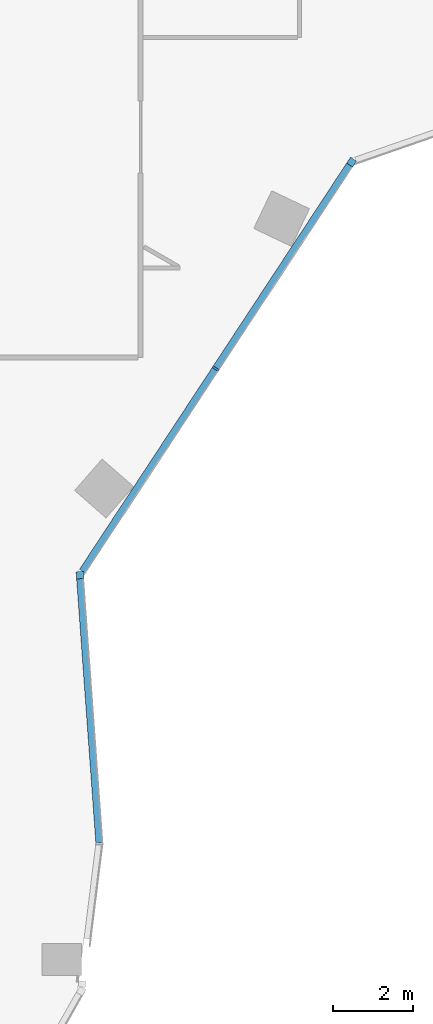
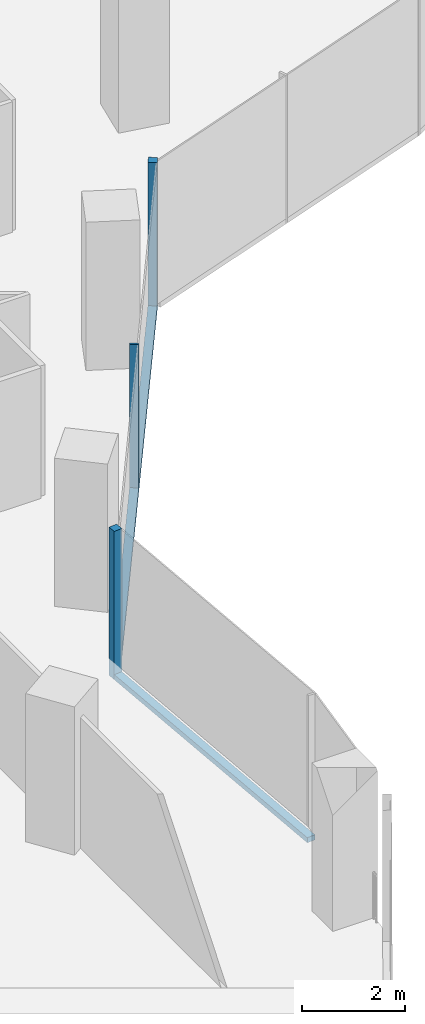
# One storey, part 5 of 24: 5 members, 2 elements without a shape of their own.
"""IFC4 building model written with IfcOpenShell, lengths in metres."""

from ifc_helpers import new_model, si_unit, direction, frame, origin, origin_2d, place, context, subcontext, project, spatial, rectangle, extrude, material, material_profile, profile_set, type_object, element, aggregate, save


model = new_model("IFC4")

# Units and contexts
model_context = context("Model", 3, precision=1e-05, world=origin(), true_north=direction((0.0, 1.0)))
body_context = subcontext(model_context, "Body", "Model", "MODEL_VIEW")
ifc_project = project(units=[si_unit("LENGTHUNIT", "METRE"), si_unit("AREAUNIT", "SQUARE_METRE"), si_unit("VOLUMEUNIT", "CUBIC_METRE"), si_unit("PLANEANGLEUNIT", "RADIAN"), si_unit("MASSUNIT", "GRAM", prefix="KILO")], contexts=[model_context])

# Site, building, storey
site_placement = place(None, origin())
site = spatial("IfcSite", under=ifc_project, at=site_placement, CompositionType="ELEMENT")
building_placement = place(site_placement, origin())
building = spatial("IfcBuilding", under=site, at=building_placement, Name="Orlundy Tower", CompositionType="ELEMENT")
storey_placement = place(building_placement, frame((0.0, 0.0, 239.0)))
storey = spatial("IfcBuildingStorey", under=building, at=storey_placement, Name="L63", CompositionType="ELEMENT", Elevation=239.0)

# Curtain wall, member
ifc_material_1 = material(Name="Aluminium bronze anodised", Category="aluminium")
curtain_wall_type = type_object("IfcCurtainWallType", Name="CW1 wall", PredefinedType="NOTDEFINED", material=ifc_material_1)
curtain_wall_1_placement = place(storey_placement, origin())
curtain_wall_1 = element("IfcCurtainWall", 1, at=curtain_wall_1_placement, inside=storey, type_object=curtain_wall_type, Name="CW1 run 01", PredefinedType="NOTDEFINED")
ifc_material_2 = material(Name="Aluminium bronze anodised", Category="aluminium")
ifc_material_profile_1 = material_profile(ifc_material_2, rectangle(XDim=0.179931640625, YDim=0.179931640625, at=origin_2d()), Name="CW1 corner post 180x180")
ifc_profile_set_1 = profile_set([ifc_material_profile_1], Name="Aluminium bronze anodised")
member_type_1 = type_object("IfcMemberType", Name="CW1 corner post 180x180", PredefinedType="MULLION", material=ifc_profile_set_1)
member_1_placement = place(storey_placement, frame((28.553466796875, -11.343994140625, -0.39990234375), z_axis=(0.0, 0.0, 1.0), x_axis=(0.835496427827, -0.549495877226, 0.0)))
member_1 = element("IfcMember", 2, at=member_1_placement, type_object=member_type_1, Name="CW1 mullion 3", PredefinedType="MULLION", context=body_context, shape_type="SweptSolid", body=[
    extrude(rectangle(XDim=0.179931640625, YDim=0.179931640625, at=origin_2d()), origin(), (0.0, 0.0, 1.0), 3.5),
])

curtain_wall_2_placement = place(storey_placement, origin())
curtain_wall_2 = element("IfcCurtainWall", 3, at=curtain_wall_2_placement, inside=storey, type_object=curtain_wall_type, Name="CW1 run 02", PredefinedType="NOTDEFINED")
member_2_placement = place(storey_placement, frame((21.72607421875, -21.724853515625, -0.39990234375), z_axis=(0.0, 0.0, 1.0), x_axis=(0.997356697467, 0.072660980026, 0.0)))
member_2 = element("IfcMember", 4, at=member_2_placement, type_object=member_type_1, Name="CW1 mullion 5", PredefinedType="MULLION", context=body_context, shape_type="SweptSolid", body=[
    extrude(rectangle(XDim=0.179931640625, YDim=0.179931640625, at=origin_2d()), origin(), (0.0, 0.0, 1.0), 3.5),
])

# Member
ifc_material_3 = material(Name="Aluminium bronze anodised", Category="aluminium")
ifc_material_profile_2 = material_profile(ifc_material_3, rectangle(XDim=0.179931640625, YDim=0.050048828125, at=origin_2d()), Name="CW1 mullion 50x180")
ifc_profile_set_2 = profile_set([ifc_material_profile_2], Name="Aluminium bronze anodised")
member_type_2 = type_object("IfcMemberType", Name="CW1 mullion 50x180", PredefinedType="MULLION", material=ifc_profile_set_2)
member_3_placement = place(storey_placement, frame((25.1396484375, -16.534423828125, -0.39990234375), z_axis=(0.0, 0.0, 1.0), x_axis=(0.835496427827, -0.549495877226, 0.0)))
member_3 = element("IfcMember", 5, at=member_3_placement, type_object=member_type_2, Name="CW1 mullion 4", PredefinedType="MULLION", context=body_context, shape_type="SweptSolid", body=[
    extrude(rectangle(XDim=0.179931640625, YDim=0.050048828125, at=origin_2d()), origin(), (0.0, 0.0, 1.0), 3.5),
])

ifc_material_4 = material(Name="Aluminium bronze anodised", Category="aluminium")
ifc_material_profile_3 = material_profile(ifc_material_4, rectangle(XDim=0.179931640625, YDim=0.1201171875, at=origin_2d()), Name="CW1 transom 180x120")
ifc_profile_set_3 = profile_set([ifc_material_profile_3], Name="Aluminium bronze anodised")
member_type_3 = type_object("IfcMemberType", Name="CW1 transom 180x120", PredefinedType="USERDEFINED", material=ifc_profile_set_3)
member_4_placement = place(storey_placement, frame((28.50390625, -11.419189453125, -0.340087890625), z_axis=(-0.549493952351, -0.835497693791, 0.0), x_axis=(0.835497693791, -0.549493952351, 0.0)))
member_4 = element("IfcMember", 6, at=member_4_placement, type_object=member_type_3, Name="CW1 transom", ObjectType="TRANSOM", PredefinedType="USERDEFINED", context=body_context, shape_type="SweptSolid", body=[
    extrude(rectangle(XDim=0.179931640625, YDim=0.1201171875, at=origin_2d()), origin(), (0.0, 0.0, 1.0), 12.221435546875),
])

aggregate(curtain_wall_1, [member_1, member_3, member_4])

member_5_placement = place(storey_placement, frame((21.732421875, -21.814697265625, -0.340087890625), z_axis=(0.072674507667, -0.997355711838, 0.0), x_axis=(0.997355711838, 0.072674507667, 0.0)))
member_5 = element("IfcMember", 7, at=member_5_placement, type_object=member_type_3, Name="CW1 transom", ObjectType="TRANSOM", PredefinedType="USERDEFINED", context=body_context, shape_type="SweptSolid", body=[
    extrude(rectangle(XDim=0.179931640625, YDim=0.1201171875, at=origin_2d()), origin(), (0.0, 0.0, 1.0), 6.648193359375),
])

aggregate(curtain_wall_2, [member_2, member_5])

save(model, "model.ifc")
